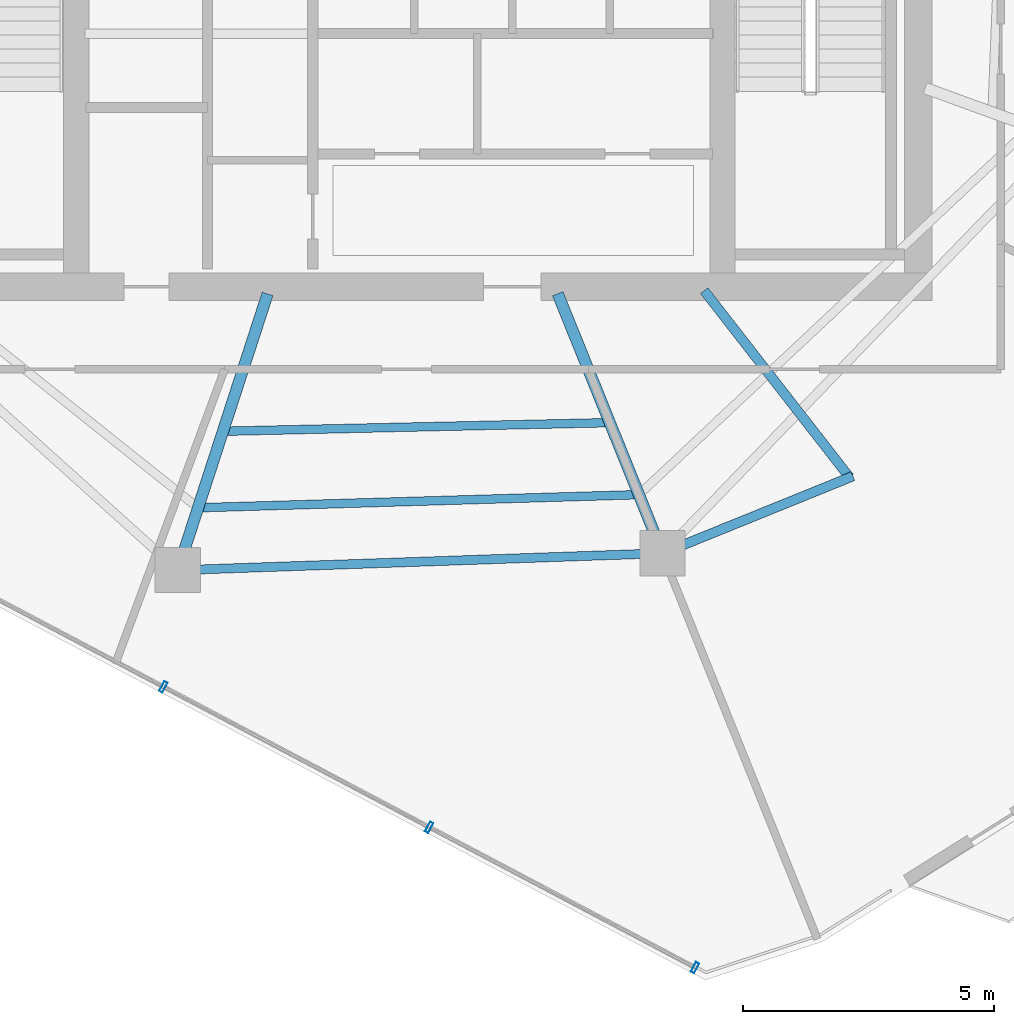
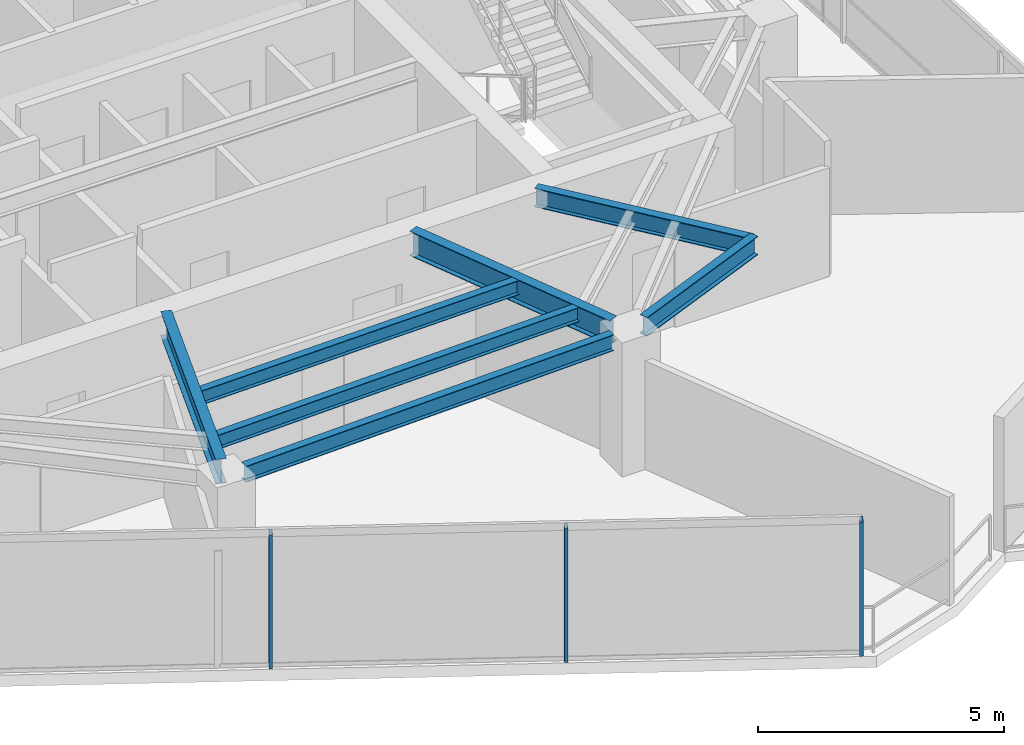
# One storey, part 3 of 19: 7 beams, 3 members, 1 element without a shape of its own.
"""IFC4 building model written with IfcOpenShell, lengths in metres."""

from ifc_helpers import new_model, si_unit, direction, frame, origin, origin_2d, place, context, subcontext, project, spatial, hollow_rectangle, i_section, extrude, material, layer, layer_set, material_profile, profile_set, type_object, element, aggregate, save


model = new_model("IFC4")

# Units and contexts
model_context = context("Model", 3, precision=1e-05, world=origin(), true_north=direction((0.0, 1.0)))
body_context = subcontext(model_context, "Body", "Model", "MODEL_VIEW")
ifc_project = project(units=[si_unit("LENGTHUNIT", "METRE"), si_unit("AREAUNIT", "SQUARE_METRE"), si_unit("VOLUMEUNIT", "CUBIC_METRE"), si_unit("PLANEANGLEUNIT", "RADIAN"), si_unit("MASSUNIT", "GRAM", prefix="KILO")], contexts=[model_context])

# Site, building, storey
site_placement = place(None, origin())
site = spatial("IfcSite", under=ifc_project, at=site_placement, CompositionType="ELEMENT")
building_placement = place(site_placement, origin())
building = spatial("IfcBuilding", under=site, at=building_placement, Name="Qarnah Convention Tower", CompositionType="ELEMENT")
storey_placement = place(building_placement, frame((0.0, 0.0, 187.800048828125)))
storey = spatial("IfcBuildingStorey", under=building, at=storey_placement, Name="L50", CompositionType="ELEMENT", Elevation=187.800048828125)

# Beams
ifc_material_1 = material(Name="Structural steel S355JR", Category="steel")
ifc_material_profile_1 = material_profile(ifc_material_1, i_section(OverallWidth=0.19189453125, OverallDepth=0.464111328125, WebThickness=0.010986328125, FlangeThickness=0.01806640625, at=origin_2d()), Name="W460X89")
ifc_profile_set_1 = profile_set([ifc_material_profile_1], Name="Structural steel S355JR")
beam_type_1 = type_object("IfcBeamType", Name="BM-CANT-W460A", PredefinedType="BEAM", material=ifc_profile_set_1)
beam_1_placement = place(storey_placement, frame((43.3310546875, 18.52099609375, 3.087890625), z_axis=(0.614241094698, -0.789118417973, 0.0), x_axis=(0.789118417973, 0.614241094698, 0.0)))
element("IfcBeam", 1, at=beam_1_placement, inside=storey, type_object=beam_type_1, Name="L50 beam BM-L50-CNT-03-1", PredefinedType="BEAM", context=body_context, shape_type="SweptSolid", body=[
    extrude(i_section(OverallWidth=0.19189453125, OverallDepth=0.464111328125, WebThickness=0.010986328125, FlangeThickness=0.01806640625, at=origin_2d()), origin(), (0.0, 0.0, 1.0), 4.724365234375),
])
beam_2_placement = place(storey_placement, frame((46.298095703125, 14.819091796875, 3.087890625), z_axis=(-0.926735498901, -0.375714406268, 0.0), x_axis=(0.375714406268, -0.926735498901, 0.0)))
element("IfcBeam", 2, at=beam_2_placement, inside=storey, type_object=beam_type_1, Name="L50 spandrel BM-L50-CTIE-03", PredefinedType="SPANDREL", context=body_context, shape_type="SweptSolid", body=[
    extrude(i_section(OverallWidth=0.19189453125, OverallDepth=0.464111328125, WebThickness=0.010986328125, FlangeThickness=0.01806640625, at=origin_2d()), origin(), (0.0, 0.0, 1.0), 3.656982421875),
])
ifc_material_profile_2 = material_profile(ifc_material_1, i_section(OverallWidth=0.172119140625, OverallDepth=0.35595703125, WebThickness=0.007080078125, FlangeThickness=0.011962890625, at=origin_2d()), Name="W360X51")
ifc_profile_set_2 = profile_set([ifc_material_profile_2], Name="Structural steel S355JR")
beam_type_2 = type_object("IfcBeamType", Name="BM-JST-W360", PredefinedType="JOIST", material=ifc_profile_set_2)
beam_3_placement = place(storey_placement, frame((33.321044921875, 14.19091796875, 3.141845703125), z_axis=(0.999558625738, 0.029707805593, 0.0), x_axis=(-0.029707805593, 0.999558625738, 0.0)))
element("IfcBeam", 3, at=beam_3_placement, inside=storey, type_object=beam_type_2, Name="L50 joist BM-L50-SJST-07", PredefinedType="JOIST", context=body_context, shape_type="SweptSolid", body=[
    extrude(i_section(OverallWidth=0.172119140625, OverallDepth=0.35595703125, WebThickness=0.007080078125, FlangeThickness=0.011962890625, at=origin_2d()), origin(), (0.0, 0.0, 1.0), 8.620849609375),
])
beam_4_placement = place(storey_placement, frame((33.818115234375, 15.717041015625, 3.141845703125), z_axis=(0.999751945962, 0.022272102413, 0.0), x_axis=(-0.022272102413, 0.999751945962, 0.0)))
element("IfcBeam", 4, at=beam_4_placement, inside=storey, type_object=beam_type_2, Name="L50 joist BM-L50-IJST-07", PredefinedType="JOIST", context=body_context, shape_type="SweptSolid", body=[
    extrude(i_section(OverallWidth=0.172119140625, OverallDepth=0.35595703125, WebThickness=0.007080078125, FlangeThickness=0.011962890625, at=origin_2d()), origin(), (0.0, 0.0, 1.0), 7.541748046875),
])
ifc_material_profile_3 = material_profile(ifc_material_1, i_section(OverallWidth=0.22802734375, OverallDepth=0.60791015625, WebThickness=0.010986328125, FlangeThickness=0.01708984375, at=origin_2d()), Name="W610X113")
ifc_profile_set_3 = profile_set([ifc_material_profile_3], Name="Structural steel S355JR")
beam_type_3 = type_object("IfcBeamType", Name="BM-RAD-W610B", PredefinedType="BEAM", material=ifc_profile_set_3)
beam_5_placement = place(storey_placement, frame((34.618896484375, 18.45703125, 3.015869140625), z_axis=(-0.309055218988, -0.951044095516, 0.0), x_axis=(0.951044095516, -0.309055218988, 0.0)))
element("IfcBeam", 5, at=beam_5_placement, inside=storey, type_object=beam_type_3, Name="L50 beam BM-L50-RAD-07", PredefinedType="BEAM", context=body_context, shape_type="SweptSolid", body=[
    extrude(i_section(OverallWidth=0.22802734375, OverallDepth=0.60791015625, WebThickness=0.010986328125, FlangeThickness=0.01708984375, at=origin_2d()), origin(), (0.0, 0.0, 1.0), 5.36767578125),
])
beam_6_placement = place(storey_placement, frame((40.407958984375, 18.4609375, 3.015869140625), z_axis=(0.374620360642, -0.927178292127, 0.0), x_axis=(0.927178292127, 0.374620360642, 0.0)))
element("IfcBeam", 6, at=beam_6_placement, inside=storey, type_object=beam_type_3, Name="L50 beam BM-L50-RAD-08", PredefinedType="BEAM", context=body_context, shape_type="SweptSolid", body=[
    extrude(i_section(OverallWidth=0.22802734375, OverallDepth=0.60791015625, WebThickness=0.010986328125, FlangeThickness=0.01708984375, at=origin_2d()), origin(), (0.0, 0.0, 1.0), 5.157470703125),
])
ifc_material_profile_4 = material_profile(ifc_material_1, i_section(OverallWidth=0.179931640625, OverallDepth=0.39990234375, WebThickness=0.009033203125, FlangeThickness=0.013916015625, at=origin_2d()), Name="IPE400")
ifc_profile_set_4 = profile_set([ifc_material_profile_4], Name="Structural steel S355JR")
beam_type_4 = type_object("IfcBeamType", Name="BM-SPN-IPE400", PredefinedType="SPANDREL", material=ifc_profile_set_4)
beam_7_placement = place(storey_placement, frame((33.26708984375, 12.9580078125, 3.119873046875), z_axis=(0.999391645542, 0.034876049374, 0.0), x_axis=(-0.034876049374, 0.999391645542, 0.0)))
element("IfcBeam", 7, at=beam_7_placement, inside=storey, type_object=beam_type_4, Name="L50 spandrel BM-L50-SPN-07", PredefinedType="SPANDREL", context=body_context, shape_type="SweptSolid", body=[
    extrude(i_section(OverallWidth=0.179931640625, OverallDepth=0.39990234375, WebThickness=0.009033203125, FlangeThickness=0.013916015625, at=origin_2d()), origin(), (0.0, 0.0, 1.0), 8.79931640625),
])

# Curtain wall, members
ifc_material_2 = material(Name="Tempered Low-E dark glass", Category="glass")
ifc_layer = layer(ifc_material_2, 0.174072265625)
ifc_layer_set = layer_set([ifc_layer], Name="Tempered Low-E dark glass")
curtain_wall_type = type_object("IfcCurtainWallType", Name="CWS-04", PredefinedType="NOTDEFINED", material=ifc_layer_set)
curtain_wall_placement = place(storey_placement, origin())
curtain_wall = element("IfcCurtainWall", 8, at=curtain_wall_placement, inside=storey, type_object=curtain_wall_type, Name="L50 unitised curtain wall CW-L50-F2", PredefinedType="NOTDEFINED")
ifc_material_3 = material(Name="Black anodised aluminium", Category="aluminium")
ifc_material_profile_5 = material_profile(ifc_material_3, hollow_rectangle(XDim=0.074951171875, YDim=0.219970703125, WallThickness=0.0048828125, at=origin_2d()), Name="MUL-75X220")
ifc_profile_set_5 = profile_set([ifc_material_profile_5], Name="Black anodised aluminium")
member_type = type_object("IfcMemberType", Name="MUL-T4", PredefinedType="MULLION", material=ifc_profile_set_5)
member_1_placement = place(storey_placement, frame((43.14697265625, 5.010986328125, 0.0), z_axis=(0.0, 0.0, 1.0), x_axis=(-0.884263531063, 0.46698823072, 0.0)))
member_1 = element("IfcMember", 9, at=member_1_placement, type_object=member_type, Name="CW-L50-F2 mullion 1", PredefinedType="MULLION", context=body_context, shape_type="SweptSolid", body=[
    extrude(hollow_rectangle(XDim=0.074951171875, YDim=0.219970703125, WallThickness=0.0048828125, at=origin_2d()), origin(), (0.0, 0.0, 1.0), 3.320068359375),
])
member_2_placement = place(storey_placement, frame((37.8427734375, 7.812255859375, 0.0), z_axis=(0.0, 0.0, 1.0), x_axis=(-0.884263531063, 0.46698823072, 0.0)))
member_2 = element("IfcMember", 10, at=member_2_placement, type_object=member_type, Name="CW-L50-F2 mullion 2", PredefinedType="MULLION", context=body_context, shape_type="SweptSolid", body=[
    extrude(hollow_rectangle(XDim=0.074951171875, YDim=0.219970703125, WallThickness=0.0048828125, at=origin_2d()), origin(), (0.0, 0.0, 1.0), 3.320068359375),
])
member_3_placement = place(storey_placement, frame((32.53857421875, 10.61328125, 0.0), z_axis=(0.0, 0.0, 1.0), x_axis=(-0.884263531063, 0.46698823072, 0.0)))
member_3 = element("IfcMember", 11, at=member_3_placement, type_object=member_type, Name="CW-L50-F2 mullion 3", PredefinedType="MULLION", context=body_context, shape_type="SweptSolid", body=[
    extrude(hollow_rectangle(XDim=0.074951171875, YDim=0.219970703125, WallThickness=0.0048828125, at=origin_2d()), origin(), (0.0, 0.0, 1.0), 3.320068359375),
])
aggregate(curtain_wall, [member_1, member_2, member_3])

save(model, "model.ifc")
